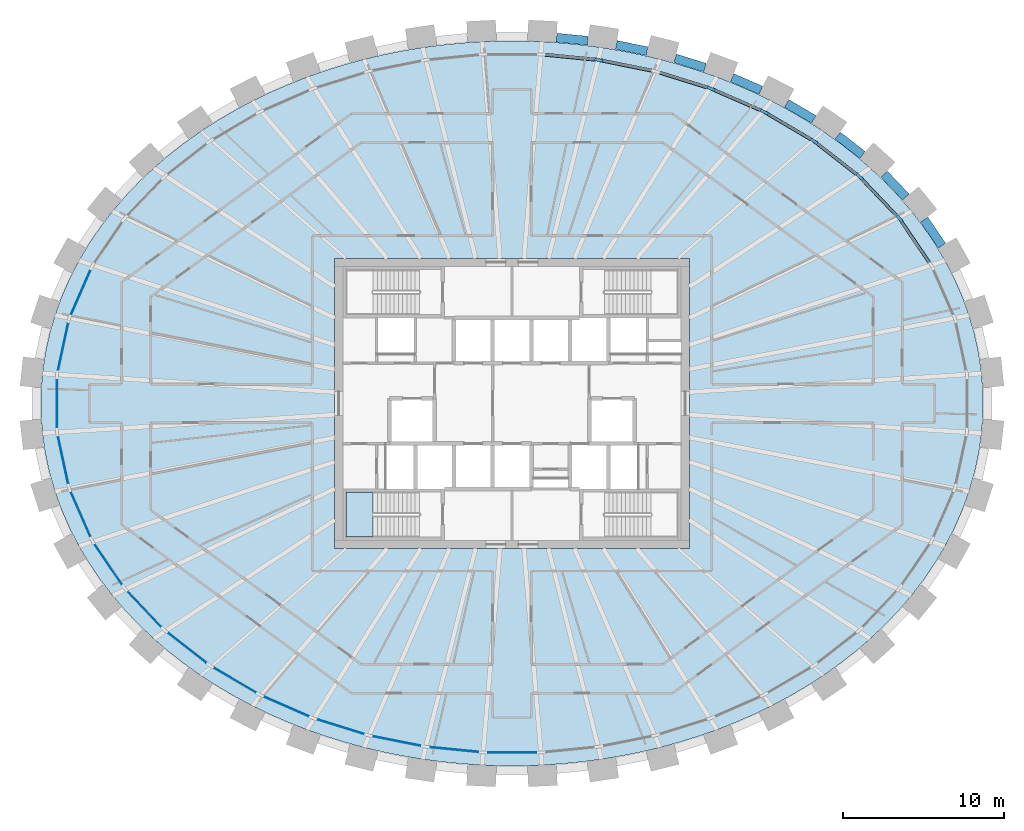
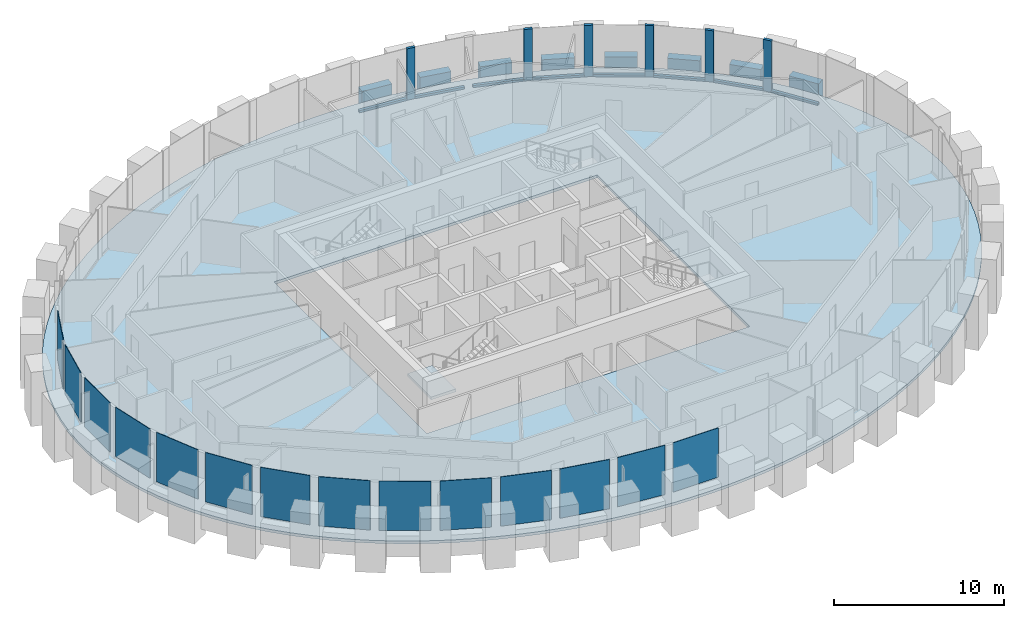
# One storey, part 4 of 12: 14 members, 14 plates, 8 beams, 2 slabs, 2 elements without a shape of their own.
"""IFC4 building model written with IfcOpenShell, lengths in metres."""

from ifc_helpers import new_model, si_unit, direction, frame, origin, origin_2d, place, context, subcontext, project, spatial, polyline, rectangle, outline, extrude, source, transform, mapped, material, layer, layer_set, material_profile, profile_set, type_object, element, aggregate, save


model = new_model("IFC4")

# Units and contexts
model_context = context("Model", 3, precision=1e-05, world=origin(), true_north=direction((0.0, 1.0)))
body_context = subcontext(model_context, "Body", "Model", "MODEL_VIEW")
ifc_project = project(units=[si_unit("LENGTHUNIT", "METRE"), si_unit("AREAUNIT", "SQUARE_METRE"), si_unit("VOLUMEUNIT", "CUBIC_METRE"), si_unit("PLANEANGLEUNIT", "RADIAN"), si_unit("MASSUNIT", "GRAM", prefix="KILO")], contexts=[model_context])

# Site, building, storey
site_placement = place(None, origin())
site = spatial("IfcSite", under=ifc_project, at=site_placement, CompositionType="ELEMENT")
building_placement = place(site_placement, origin())
building = spatial("IfcBuilding", under=site, at=building_placement, Name="Embergate Tower", CompositionType="ELEMENT")
storey_placement = place(building_placement, frame((0.0, 0.0, 320.800048828125)))
storey = spatial("IfcBuildingStorey", under=building, at=storey_placement, Name="L75", CompositionType="ELEMENT", Elevation=320.800048828125)

# Beams
ifc_material_1 = material(Name="Concrete C50", Category="concrete")
ifc_material_profile_1 = material_profile(ifc_material_1, rectangle(XDim=0.550048828125, YDim=1.5, at=origin_2d()), Name="RC 550x1500")
ifc_profile_set_1 = profile_set([ifc_material_profile_1], Name="Concrete C50")
beam_type = type_object("IfcBeamType", Name="Spandrel beam RC 550x1500 C50", PredefinedType="BEAM", material=ifc_profile_set_1)
shared_shape_1 = source(origin(), body_context, "Body", "SweptSolid", [
    extrude(rectangle(XDim=0.550048828125, YDim=1.5, at=origin_2d()), origin(), (0.0, 0.0, 1.0), 1.960205078125),
])
beam_1_placement = place(storey_placement, frame((26.676025390625, 9.782958984375, 0.0), z_axis=(-0.562207817231, 0.826995991674, 0.0), x_axis=(-0.826995991674, -0.562207817231, 0.0)))
element("IfcBeam", 1, at=beam_1_placement, inside=storey, type_object=beam_type, Name="SPN-L75-02", PredefinedType="BEAM", context=body_context, shape_type="MappedRepresentation", body=[
    mapped(shared_shape_1, transform((0.0, 0.0, 0.0))),
])
shared_shape_2 = source(origin(), body_context, "Body", "SweptSolid", [
    extrude(rectangle(XDim=0.550048828125, YDim=1.5, at=origin_2d()), origin(), (0.0, 0.0, 1.0), 1.955078125),
])
beam_2_placement = place(storey_placement, frame((24.443115234375, 12.803955078125, 0.0), z_axis=(-0.690558902138, 0.723276159346, 0.0), x_axis=(-0.723276159346, -0.690558902138, 0.0)))
element("IfcBeam", 2, at=beam_2_placement, inside=storey, type_object=beam_type, Name="SPN-L75-03", PredefinedType="BEAM", context=body_context, shape_type="MappedRepresentation", body=[
    mapped(shared_shape_2, transform((0.0, 0.0, 0.0))),
])
shared_shape_3 = source(origin(), body_context, "Body", "SweptSolid", [
    extrude(rectangle(XDim=0.550048828125, YDim=1.5, at=origin_2d()), origin(), (0.0, 0.0, 1.0), 1.94873046875),
])
beam_3_placement = place(storey_placement, frame((21.74609375, 15.412109375, 0.0), z_axis=(-0.78830540841, 0.615284148236, 0.0), x_axis=(-0.615284148236, -0.78830540841, 0.0)))
element("IfcBeam", 3, at=beam_3_placement, inside=storey, type_object=beam_type, Name="SPN-L75-04", PredefinedType="BEAM", context=body_context, shape_type="MappedRepresentation", body=[
    mapped(shared_shape_3, transform((0.0, 0.0, 0.0))),
])
shared_shape_4 = source(origin(), body_context, "Body", "SweptSolid", [
    extrude(rectangle(XDim=0.550048828125, YDim=1.5, at=origin_2d()), origin(), (0.0, 0.0, 1.0), 1.944580078125),
])
beam_4_placement = place(storey_placement, frame((18.720947265625, 17.623046875, 0.0), z_axis=(-0.861947125599, 0.506998178174, 0.0), x_axis=(-0.506998178174, -0.861947125599, 0.0)))
element("IfcBeam", 4, at=beam_4_placement, inside=storey, type_object=beam_type, Name="SPN-L75-05", PredefinedType="BEAM", context=body_context, shape_type="MappedRepresentation", body=[
    mapped(shared_shape_4, transform((0.0, 0.0, 0.0))),
])
shared_shape_5 = source(origin(), body_context, "Body", "SweptSolid", [
    extrude(rectangle(XDim=0.550048828125, YDim=1.5, at=origin_2d()), origin(), (0.0, 0.0, 1.0), 1.943603515625),
])
beam_5_placement = place(storey_placement, frame((15.44189453125, 19.427001953125, 0.0), z_axis=(-0.916367666651, 0.400337731818, 0.0), x_axis=(-0.400337731818, -0.916367666651, 0.0)))
element("IfcBeam", 5, at=beam_5_placement, inside=storey, type_object=beam_type, Name="SPN-L75-06", PredefinedType="BEAM", context=body_context, shape_type="MappedRepresentation", body=[
    mapped(shared_shape_5, transform((0.0, 0.0, 0.0))),
])
shared_shape_6 = source(origin(), body_context, "Body", "SweptSolid", [
    extrude(rectangle(XDim=0.550048828125, YDim=1.5, at=origin_2d()), origin(), (0.0, 0.0, 1.0), 1.940673828125),
])
beam_6_placement = place(storey_placement, frame((11.97509765625, 20.833984375, 0.0), z_axis=(-0.954797285525, 0.297257705625, 0.0), x_axis=(-0.297257705625, -0.954797285525, 0.0)))
element("IfcBeam", 6, at=beam_6_placement, inside=storey, type_object=beam_type, Name="SPN-L75-07", PredefinedType="BEAM", context=body_context, shape_type="MappedRepresentation", body=[
    mapped(shared_shape_6, transform((0.0, 0.0, 0.0))),
])
shared_shape_7 = source(origin(), body_context, "Body", "SweptSolid", [
    extrude(rectangle(XDim=0.550048828125, YDim=1.5, at=origin_2d()), origin(), (0.0, 0.0, 1.0), 1.93994140625),
])
beam_7_placement = place(storey_placement, frame((8.3779296875, 21.85595703125, 0.0), z_axis=(-0.980410889527, 0.1969631633, 0.0), x_axis=(-0.1969631633, -0.980410889527, 0.0)))
element("IfcBeam", 7, at=beam_7_placement, inside=storey, type_object=beam_type, Name="SPN-L75-08", PredefinedType="BEAM", context=body_context, shape_type="MappedRepresentation", body=[
    mapped(shared_shape_7, transform((0.0, 0.0, 0.0))),
])
shared_shape_8 = source(origin(), body_context, "Body", "SweptSolid", [
    extrude(rectangle(XDim=0.550048828125, YDim=1.5, at=origin_2d()), origin(), (0.0, 0.0, 1.0), 1.938232421875),
])
beam_8_placement = place(storey_placement, frame((4.696044921875, 22.5029296875, 0.0), z_axis=(-0.995174653714, 0.098119358973, 0.0), x_axis=(-0.098119358973, -0.995174653714, 0.0)))
element("IfcBeam", 8, at=beam_8_placement, inside=storey, type_object=beam_type, Name="SPN-L75-09", PredefinedType="BEAM", context=body_context, shape_type="MappedRepresentation", body=[
    mapped(shared_shape_8, transform((0.0, 0.0, 0.0))),
])

# Curtain wall, members
ifc_material_2 = material(Name="Aluminium and glass", Category="aluminium")
curtain_wall_type = type_object("IfcCurtainWallType", Name="Recessed office glazing", PredefinedType="NOTDEFINED", material=ifc_material_2)
curtain_wall_placement = place(storey_placement, origin())
curtain_wall = element("IfcCurtainWall", 9, at=curtain_wall_placement, inside=storey, type_object=curtain_wall_type, Name="Recessed office glazing ring", ObjectType="RECESSED OFFICE GLAZING", PredefinedType="USERDEFINED")
ifc_material_3 = material(Name="Aluminium, thermally broken", Category="aluminium")
ifc_material_profile_2 = material_profile(ifc_material_3, rectangle(XDim=0.179931640625, YDim=0.52001953125, at=origin_2d()), Name="AL 520x180")
ifc_profile_set_2 = profile_set([ifc_material_profile_2], Name="Aluminium, thermally broken")
member_type_1 = type_object("IfcMemberType", Name="Office mullion", PredefinedType="MULLION", material=ifc_profile_set_2)
shared_shape_9 = source(origin(), body_context, "Body", "SweptSolid", [
    extrude(rectangle(XDim=0.179931640625, YDim=0.52001953125, at=origin_2d()), origin(), (0.0, 0.0, 1.0), 3.699951171875),
])
member_1_placement = place(storey_placement, frame((24.04248046875, 11.4658203125, 0.0), z_axis=(0.0, 0.0, 1.0), x_axis=(-0.777861596203, -0.628435626897, 0.0)))
member_1 = element("IfcMember", 10, at=member_1_placement, type_object=member_type_1, Name="CW mullion 4", PredefinedType="MULLION", context=body_context, shape_type="MappedRepresentation", body=[
    mapped(shared_shape_9, transform((0.0, 0.0, 0.0))),
])
member_2_placement = place(storey_placement, frame((21.57275390625, 14.0556640625, 0.0), z_axis=(0.0, 0.0, 1.0), x_axis=(-0.671217477801, -0.741260478843, 0.0)))
member_2 = element("IfcMember", 11, at=member_2_placement, type_object=member_type_1, Name="CW mullion 5", PredefinedType="MULLION", context=body_context, shape_type="MappedRepresentation", body=[
    mapped(shared_shape_9, transform((0.0, 0.0, 0.0))),
])
member_3_placement = place(storey_placement, frame((18.745849609375, 16.261962890625, 0.0), z_axis=(0.0, 0.0, 1.0), x_axis=(-0.562210401679, -0.82699423471, 0.0)))
member_3 = element("IfcMember", 12, at=member_3_placement, type_object=member_type_1, Name="CW mullion 6", PredefinedType="MULLION", context=body_context, shape_type="MappedRepresentation", body=[
    mapped(shared_shape_9, transform((0.0, 0.0, 0.0))),
])
member_4_placement = place(storey_placement, frame((15.649658203125, 18.08251953125, 0.0), z_axis=(0.0, 0.0, 1.0), x_axis=(-0.454508271251, -0.890742516872, 0.0)))
member_4 = element("IfcMember", 13, at=member_4_placement, type_object=member_type_1, Name="CW mullion 7", PredefinedType="MULLION", context=body_context, shape_type="MappedRepresentation", body=[
    mapped(shared_shape_9, transform((0.0, 0.0, 0.0))),
])
member_5_placement = place(storey_placement, frame((12.354736328125, 19.523193359375, 0.0), z_axis=(0.0, 0.0, 1.0), x_axis=(-0.349501047589, -0.936935973124, 0.0)))
member_5 = element("IfcMember", 14, at=member_5_placement, type_object=member_type_1, Name="CW mullion 8", PredefinedType="MULLION", context=body_context, shape_type="MappedRepresentation", body=[
    mapped(shared_shape_9, transform((0.0, 0.0, 0.0))),
])
member_6_placement = place(storey_placement, frame((5.386962890625, 21.301513671875, 0.0), z_axis=(0.0, 0.0, 1.0), x_axis=(-0.147412382818, -0.989075118174, 0.0)))
member_6 = element("IfcMember", 15, at=member_6_placement, type_object=member_type_1, Name="CW mullion 10", PredefinedType="MULLION", context=body_context, shape_type="MappedRepresentation", body=[
    mapped(shared_shape_9, transform((0.0, 0.0, 0.0))),
])
ifc_material_profile_3 = material_profile(ifc_material_3, rectangle(XDim=0.179931640625, YDim=0.14990234375, at=origin_2d()), Name="AL 150x180")
ifc_profile_set_3 = profile_set([ifc_material_profile_3], Name="Aluminium, thermally broken")
member_type_2 = type_object("IfcMemberType", Name="Office sill transom", PredefinedType="USERDEFINED", material=ifc_profile_set_3)
shared_shape_10 = source(origin(), body_context, "Body", "SweptSolid", [
    extrude(rectangle(XDim=0.179931640625, YDim=0.14990234375, at=origin_2d()), origin(), (0.0, 0.0, 1.0), 3.050537109375),
])
member_7_placement = place(storey_placement, frame((25.904052734375, 8.728515625, 0.074951171875), z_axis=(-0.562323156119, 0.826917570313, 0.0), x_axis=(-0.826917570313, -0.562323156119, 0.0)))
member_7 = element("IfcMember", 16, at=member_7_placement, type_object=member_type_2, Name="CW transom 3.1", ObjectType="TRANSOM", PredefinedType="USERDEFINED", context=body_context, shape_type="MappedRepresentation", body=[
    mapped(shared_shape_10, transform((0.0, 0.0, 0.0))),
])
shared_shape_11 = source(origin(), body_context, "Body", "SweptSolid", [
    extrude(rectangle(XDim=0.179931640625, YDim=0.14990234375, at=origin_2d()), origin(), (0.0, 0.0, 1.0), 3.05859375),
])
member_8_placement = place(storey_placement, frame((23.863037109375, 11.654052734375, 0.074951171875), z_axis=(-0.690145338974, 0.723670789167, 0.0), x_axis=(-0.723670789167, -0.690145338974, 0.0)))
member_8 = element("IfcMember", 17, at=member_8_placement, type_object=member_type_2, Name="CW transom 4.1", ObjectType="TRANSOM", PredefinedType="USERDEFINED", context=body_context, shape_type="MappedRepresentation", body=[
    mapped(shared_shape_11, transform((0.0, 0.0, 0.0))),
])
shared_shape_12 = source(origin(), body_context, "Body", "SweptSolid", [
    extrude(rectangle(XDim=0.179931640625, YDim=0.14990234375, at=origin_2d()), origin(), (0.0, 0.0, 1.0), 3.06591796875),
])
member_9_placement = place(storey_placement, frame((21.367919921875, 14.2158203125, 0.074951171875), z_axis=(-0.788347811485, 0.615229817326, 0.0), x_axis=(-0.615229817326, -0.788347811485, 0.0)))
member_9 = element("IfcMember", 18, at=member_9_placement, type_object=member_type_2, Name="CW transom 5.1", ObjectType="TRANSOM", PredefinedType="USERDEFINED", context=body_context, shape_type="MappedRepresentation", body=[
    mapped(shared_shape_12, transform((0.0, 0.0, 0.0))),
])
shared_shape_13 = source(origin(), body_context, "Body", "SweptSolid", [
    extrude(rectangle(XDim=0.179931640625, YDim=0.14990234375, at=origin_2d()), origin(), (0.0, 0.0, 1.0), 3.07177734375),
])
member_10_placement = place(storey_placement, frame((18.521728515625, 16.393798828125, 0.074951171875), z_axis=(-0.862038399322, 0.506842971831, 0.0), x_axis=(-0.506842971831, -0.862038399322, 0.0)))
member_10 = element("IfcMember", 19, at=member_10_placement, type_object=member_type_2, Name="CW transom 6.1", ObjectType="TRANSOM", PredefinedType="USERDEFINED", context=body_context, shape_type="MappedRepresentation", body=[
    mapped(shared_shape_13, transform((0.0, 0.0, 0.0))),
])
shared_shape_14 = source(origin(), body_context, "Body", "SweptSolid", [
    extrude(rectangle(XDim=0.179931640625, YDim=0.14990234375, at=origin_2d()), origin(), (0.0, 0.0, 1.0), 3.076171875),
])
member_11_placement = place(storey_placement, frame((15.41162109375, 18.1865234375, 0.074951171875), z_axis=(-0.916242921691, 0.400623150169, 0.0), x_axis=(-0.400623150169, -0.916242921691, 0.0)))
member_11 = element("IfcMember", 20, at=member_11_placement, type_object=member_type_2, Name="CW transom 7.1", ObjectType="TRANSOM", PredefinedType="USERDEFINED", context=body_context, shape_type="MappedRepresentation", body=[
    mapped(shared_shape_14, transform((0.0, 0.0, 0.0))),
])
shared_shape_15 = source(origin(), body_context, "Body", "SweptSolid", [
    extrude(rectangle(XDim=0.179931640625, YDim=0.14990234375, at=origin_2d()), origin(), (0.0, 0.0, 1.0), 3.079345703125),
])
member_12_placement = place(storey_placement, frame((12.1064453125, 19.600341796875, 0.074951171875), z_axis=(-0.954753265605, 0.297399061558, 0.0), x_axis=(-0.297399061558, -0.954753265605, 0.0)))
member_12 = element("IfcMember", 21, at=member_12_placement, type_object=member_type_2, Name="CW transom 8.1", ObjectType="TRANSOM", PredefinedType="USERDEFINED", context=body_context, shape_type="MappedRepresentation", body=[
    mapped(shared_shape_15, transform((0.0, 0.0, 0.0))),
])
shared_shape_16 = source(origin(), body_context, "Body", "SweptSolid", [
    extrude(rectangle(XDim=0.179931640625, YDim=0.14990234375, at=origin_2d()), origin(), (0.0, 0.0, 1.0), 3.081298828125),
])
member_13_placement = place(storey_placement, frame((8.663330078125, 20.64453125, 0.074951171875), z_axis=(-0.980473874626, 0.19664938641, 0.0), x_axis=(-0.19664938641, -0.980473874626, 0.0)))
member_13 = element("IfcMember", 22, at=member_13_placement, type_object=member_type_2, Name="CW transom 9.1", ObjectType="TRANSOM", PredefinedType="USERDEFINED", context=body_context, shape_type="MappedRepresentation", body=[
    mapped(shared_shape_16, transform((0.0, 0.0, 0.0))),
])
shared_shape_17 = source(origin(), body_context, "Body", "SweptSolid", [
    extrude(rectangle(XDim=0.179931640625, YDim=0.14990234375, at=origin_2d()), origin(), (0.0, 0.0, 1.0), 3.0830078125),
])
member_14_placement = place(storey_placement, frame((5.12841796875, 21.326904296875, 0.074951171875), z_axis=(-0.995198169666, 0.09788055524, 0.0), x_axis=(-0.09788055524, -0.995198169666, 0.0)))
member_14 = element("IfcMember", 23, at=member_14_placement, type_object=member_type_2, Name="CW transom 10.1", ObjectType="TRANSOM", PredefinedType="USERDEFINED", context=body_context, shape_type="MappedRepresentation", body=[
    mapped(shared_shape_17, transform((0.0, 0.0, 0.0))),
])

# Slab
ifc_material_4 = material(Name="Concrete C40", Category="concrete")
ifc_layer_1 = layer(ifc_material_4, 0.199951171875)
ifc_layer_set_1 = layer_set([ifc_layer_1], Name="Concrete C40")
slab_type_1 = type_object("IfcSlabType", Name="Composite floor slab C40 200", PredefinedType="FLOOR", material=ifc_layer_set_1)
shared_shape_18 = source(origin(), body_context, "Body", "SweptSolid", [
    extrude(outline(polyline([(0.0, 0.0), (1.23583984375, 0.0), (2.471923828125, 0.0400390625), (3.7080078125, 0.12109375), (4.93896484375, 0.2421875), (6.161865234375, 0.403076171875), (7.386962890625, 0.606201171875), (8.598876953125, 0.84912109375), (9.796875, 1.132080078125), (10.996826171875, 1.460205078125), (12.177978515625, 1.828125), (13.3369140625, 2.234130859375), (14.496826171875, 2.691162109375), (15.6298828125, 3.18603515625), (16.73291015625, 3.719970703125), (17.8349609375, 4.30810546875), (18.90087890625, 4.93505859375), (19.928955078125, 5.59814453125), (20.948974609375, 6.322998046875), (21.923828125, 7.0830078125), (22.849853515625, 7.879150390625), (23.760009765625, 8.739990234375), (24.613037109375, 9.635009765625), (25.406982421875, 10.56005859375), (26.169921875, 11.55419921875), (26.864990234375, 12.576171875), (27.489990234375, 13.6240234375), (28.06396484375, 14.733154296875), (28.559814453125, 15.864990234375), (28.97802734375, 17.01513671875), (29.322998046875, 18.210205078125), (29.5830078125, 19.41796875), (29.7568359375, 20.635009765625), (29.844970703125, 21.8681640625), (29.844970703125, 23.10400390625), (29.7568359375, 24.337158203125), (29.5830078125, 25.55419921875), (29.322998046875, 26.761962890625), (28.97802734375, 27.95703125), (28.559814453125, 29.107177734375), (28.06396484375, 30.239013671875), (27.489990234375, 31.34814453125), (26.864990234375, 32.39599609375), (26.169921875, 33.41796875), (25.406982421875, 34.412109375), (24.613037109375, 35.337158203125), (23.760009765625, 36.232177734375), (22.849853515625, 37.093017578125), (21.923828125, 37.88916015625), (20.948974609375, 38.649169921875), (19.928955078125, 39.3740234375), (18.90087890625, 40.037109375), (17.8349609375, 40.6640625), (16.73291015625, 41.252197265625), (15.6298828125, 41.7861328125), (14.496826171875, 42.281005859375), (13.3369140625, 42.738037109375), (12.177978515625, 43.14404296875), (10.996826171875, 43.511962890625), (9.796875, 43.840087890625), (8.598876953125, 44.123046875), (7.386962890625, 44.365966796875), (6.161865234375, 44.569091796875), (4.93896484375, 44.72998046875), (3.7080078125, 44.85107421875), (2.471923828125, 44.93212890625), (1.23583984375, 44.97216796875), (0.0, 44.97216796875), (-1.236083984375, 44.93212890625), (-2.47216796875, 44.85107421875), (-3.703125, 44.72998046875), (-4.926025390625, 44.569091796875), (-6.151123046875, 44.365966796875), (-7.363037109375, 44.123046875), (-8.56103515625, 43.840087890625), (-9.760986328125, 43.511962890625), (-10.942138671875, 43.14404296875), (-12.10107421875, 42.738037109375), (-13.260986328125, 42.281005859375), (-14.39404296875, 41.7861328125), (-15.4970703125, 41.252197265625), (-16.59912109375, 40.6640625), (-17.6650390625, 40.037109375), (-18.693115234375, 39.3740234375), (-19.713134765625, 38.649169921875), (-20.68798828125, 37.88916015625), (-21.614013671875, 37.093017578125), (-22.524169921875, 36.232177734375), (-23.377197265625, 35.337158203125), (-24.171142578125, 34.412109375), (-24.93408203125, 33.41796875), (-25.629150390625, 32.39599609375), (-26.254150390625, 31.34814453125), (-26.828125, 30.239013671875), (-27.323974609375, 29.107177734375), (-27.7421875, 27.95703125), (-28.087158203125, 26.761962890625), (-28.34716796875, 25.55419921875), (-28.52099609375, 24.337158203125), (-28.609130859375, 23.10400390625), (-28.609130859375, 21.8681640625), (-28.52099609375, 20.635009765625), (-28.34716796875, 19.41796875), (-28.087158203125, 18.210205078125), (-27.7421875, 17.01513671875), (-27.323974609375, 15.864990234375), (-26.828125, 14.733154296875), (-26.254150390625, 13.6240234375), (-25.629150390625, 12.576171875), (-24.93408203125, 11.55419921875), (-24.171142578125, 10.56005859375), (-23.377197265625, 9.635009765625), (-22.524169921875, 8.739990234375), (-21.614013671875, 7.879150390625), (-20.68798828125, 7.0830078125), (-19.713134765625, 6.322998046875), (-18.693115234375, 5.59814453125), (-17.6650390625, 4.93505859375), (-16.59912109375, 4.30810546875), (-15.4970703125, 3.719970703125), (-14.39404296875, 3.18603515625), (-13.260986328125, 2.691162109375), (-12.10107421875, 2.234130859375), (-10.942138671875, 1.828125), (-9.760986328125, 1.460205078125), (-8.56103515625, 1.132080078125), (-7.363037109375, 0.84912109375), (-6.151123046875, 0.606201171875), (-4.926025390625, 0.403076171875), (-3.703125, 0.2421875), (-2.47216796875, 0.12109375), (-1.236083984375, 0.0400390625), (0.0, 0.0)]), holes=[polyline([(-10.382080078125, 13.486083984375), (-10.382080078125, 31.486083984375), (11.617919921875, 31.486083984375), (11.617919921875, 13.486083984375), (-10.382080078125, 13.486083984375)])]), origin(), (0.0, 0.0, 1.0), 0.199951171875),
])
slab_1_placement = place(storey_placement, frame((-0.617919921875, -22.486083984375, -0.199951171875)))
element("IfcSlab", 24, at=slab_1_placement, inside=storey, type_object=slab_type_1, Name="SLB-L75-00", PredefinedType="FLOOR", context=body_context, shape_type="MappedRepresentation", body=[
    mapped(shared_shape_18, transform((0.0, 0.0, 0.0))),
])

# Plate
ifc_material_5 = material(Name="Triple glazing, low-emissivity coating", Category="glass")
ifc_layer_2 = layer(ifc_material_5, 0.035888671875)
ifc_layer_set_2 = layer_set([ifc_layer_2], Name="Triple glazing, low-emissivity coating")
plate_type = type_object("IfcPlateType", Name="Office glazing unit", PredefinedType="CURTAIN_PANEL", material=ifc_layer_set_2)
shared_shape_19 = source(origin(), body_context, "Body", "SweptSolid", [
    extrude(rectangle(XDim=3.03515625, YDim=0.035888671875, at=origin_2d()), origin(), (0.0, 0.0, 1.0), 3.550048828125),
])
plate_1_placement = place(storey_placement, frame((-27.854736328125, 3.513916015625, 0.14990234375), z_axis=(0.0, 0.0, 1.0), x_axis=(-0.210400097438, -0.977615363524, 0.0)))
plate_1 = element("IfcPlate", 25, at=plate_1_placement, type_object=plate_type, Name="CW panel 21.1", PredefinedType="CURTAIN_PANEL", context=body_context, shape_type="MappedRepresentation", body=[
    mapped(shared_shape_19, transform((0.0, 0.0, 0.0))),
])

plate_2_placement = place(storey_placement, frame((-27.854736328125, -3.513916015625, 0.14990234375), z_axis=(0.0, 0.0, 1.0), x_axis=(0.210400097438, -0.977615363524, 0.0)))
plate_2 = element("IfcPlate", 26, at=plate_2_placement, type_object=plate_type, Name="CW panel 23.1", PredefinedType="CURTAIN_PANEL", context=body_context, shape_type="MappedRepresentation", body=[
    mapped(shared_shape_19, transform((0.0, 0.0, 0.0))),
])

shared_shape_20 = source(origin(), body_context, "Body", "SweptSolid", [
    extrude(rectangle(XDim=3.041748046875, YDim=0.035888671875, at=origin_2d()), origin(), (0.0, 0.0, 1.0), 3.550048828125),
])
plate_3_placement = place(storey_placement, frame((-26.765380859375, 6.8828125, 0.14990234375), z_axis=(0.0, 0.0, 1.0), x_axis=(-0.401653699516, -0.915791627864, 0.0)))
plate_3 = element("IfcPlate", 27, at=plate_3_placement, type_object=plate_type, Name="CW panel 20.1", PredefinedType="CURTAIN_PANEL", context=body_context, shape_type="MappedRepresentation", body=[
    mapped(shared_shape_20, transform((0.0, 0.0, 0.0))),
])

plate_4_placement = place(storey_placement, frame((-26.765380859375, -6.8828125, 0.14990234375), z_axis=(0.0, 0.0, 1.0), x_axis=(0.401653699516, -0.915791627864, 0.0)))
plate_4 = element("IfcPlate", 28, at=plate_4_placement, type_object=plate_type, Name="CW panel 24.1", PredefinedType="CURTAIN_PANEL", context=body_context, shape_type="MappedRepresentation", body=[
    mapped(shared_shape_20, transform((0.0, 0.0, 0.0))),
])

shared_shape_21 = source(origin(), body_context, "Body", "SweptSolid", [
    extrude(rectangle(XDim=3.05029296875, YDim=0.035888671875, at=origin_2d()), origin(), (0.0, 0.0, 1.0), 3.550048828125),
])
plate_5_placement = place(storey_placement, frame((-25.04638671875, -9.98974609375, 0.14990234375), z_axis=(0.0, 0.0, 1.0), x_axis=(0.562341741915, -0.826904931234, 0.0)))
plate_5 = element("IfcPlate", 29, at=plate_5_placement, type_object=plate_type, Name="CW panel 25.1", PredefinedType="CURTAIN_PANEL", context=body_context, shape_type="MappedRepresentation", body=[
    mapped(shared_shape_21, transform((0.0, 0.0, 0.0))),
])

shared_shape_22 = source(origin(), body_context, "Body", "SweptSolid", [
    extrude(rectangle(XDim=3.05859375, YDim=0.035888671875, at=origin_2d()), origin(), (0.0, 0.0, 1.0), 3.550048828125),
])
plate_6_placement = place(storey_placement, frame((-22.8076171875, -12.7607421875, 0.14990234375), z_axis=(0.0, 0.0, 1.0), x_axis=(0.6901325214, -0.723683012724, 0.0)))
plate_6 = element("IfcPlate", 30, at=plate_6_placement, type_object=plate_type, Name="CW panel 26.1", PredefinedType="CURTAIN_PANEL", context=body_context, shape_type="MappedRepresentation", body=[
    mapped(shared_shape_22, transform((0.0, 0.0, 0.0))),
])

shared_shape_23 = source(origin(), body_context, "Body", "SweptSolid", [
    extrude(rectangle(XDim=3.06591796875, YDim=0.035888671875, at=origin_2d()), origin(), (0.0, 0.0, 1.0), 3.550048828125),
])
plate_7_placement = place(storey_placement, frame((-20.1591796875, -15.15869140625, 0.14990234375), z_axis=(0.0, 0.0, 1.0), x_axis=(0.788317971569, -0.615268051911, 0.0)))
plate_7 = element("IfcPlate", 31, at=plate_7_placement, type_object=plate_type, Name="CW panel 27.1", PredefinedType="CURTAIN_PANEL", context=body_context, shape_type="MappedRepresentation", body=[
    mapped(shared_shape_23, transform((0.0, 0.0, 0.0))),
])

shared_shape_24 = source(origin(), body_context, "Body", "SweptSolid", [
    extrude(rectangle(XDim=3.07177734375, YDim=0.035888671875, at=origin_2d()), origin(), (0.0, 0.0, 1.0), 3.550048828125),
])
plate_8_placement = place(storey_placement, frame((-17.19775390625, -17.172119140625, 0.14990234375), z_axis=(0.0, 0.0, 1.0), x_axis=(0.862050514108, -0.506822366443, 0.0)))
plate_8 = element("IfcPlate", 32, at=plate_8_placement, type_object=plate_type, Name="CW panel 28.1", PredefinedType="CURTAIN_PANEL", context=body_context, shape_type="MappedRepresentation", body=[
    mapped(shared_shape_24, transform((0.0, 0.0, 0.0))),
])

shared_shape_25 = source(origin(), body_context, "Body", "SweptSolid", [
    extrude(rectangle(XDim=3.076171875, YDim=0.035888671875, at=origin_2d()), origin(), (0.0, 0.0, 1.0), 3.550048828125),
])
plate_9_placement = place(storey_placement, frame((-14.002197265625, -18.802734375, 0.14990234375), z_axis=(0.0, 0.0, 1.0), x_axis=(0.91623411399, -0.400643293168, 0.0)))
plate_9 = element("IfcPlate", 33, at=plate_9_placement, type_object=plate_type, Name="CW panel 29.1", PredefinedType="CURTAIN_PANEL", context=body_context, shape_type="MappedRepresentation", body=[
    mapped(shared_shape_25, transform((0.0, 0.0, 0.0))),
])

shared_shape_26 = source(origin(), body_context, "Body", "SweptSolid", [
    extrude(rectangle(XDim=3.079345703125, YDim=0.035888671875, at=origin_2d()), origin(), (0.0, 0.0, 1.0), 3.550048828125),
])
plate_10_placement = place(storey_placement, frame((-10.636474609375, -20.05810546875, 0.14990234375), z_axis=(0.0, 0.0, 1.0), x_axis=(0.954771179262, -0.297341546458, 0.0)))
plate_10 = element("IfcPlate", 34, at=plate_10_placement, type_object=plate_type, Name="CW panel 30.1", PredefinedType="CURTAIN_PANEL", context=body_context, shape_type="MappedRepresentation", body=[
    mapped(shared_shape_26, transform((0.0, 0.0, 0.0))),
])

shared_shape_27 = source(origin(), body_context, "Body", "SweptSolid", [
    extrude(rectangle(XDim=3.08154296875, YDim=0.035888671875, at=origin_2d()), origin(), (0.0, 0.0, 1.0), 3.550048828125),
])
plate_11_placement = place(storey_placement, frame((-7.152587890625, -20.947509765625, 0.14990234375), z_axis=(0.0, 0.0, 1.0), x_axis=(0.980475221003, -0.196642673395, 0.0)))
plate_11 = element("IfcPlate", 35, at=plate_11_placement, type_object=plate_type, Name="CW panel 31.1", PredefinedType="CURTAIN_PANEL", context=body_context, shape_type="MappedRepresentation", body=[
    mapped(shared_shape_27, transform((0.0, 0.0, 0.0))),
])

shared_shape_28 = source(origin(), body_context, "Body", "SweptSolid", [
    extrude(rectangle(XDim=3.082763671875, YDim=0.035888671875, at=origin_2d()), origin(), (0.0, 0.0, 1.0), 3.550048828125),
])
plate_12_placement = place(storey_placement, frame((-3.59423828125, -21.477783203125, 0.14990234375), z_axis=(0.0, 0.0, 1.0), x_axis=(0.995203014042, -0.097831287645, 0.0)))
plate_12 = element("IfcPlate", 36, at=plate_12_placement, type_object=plate_type, Name="CW panel 32.1", PredefinedType="CURTAIN_PANEL", context=body_context, shape_type="MappedRepresentation", body=[
    mapped(shared_shape_28, transform((0.0, 0.0, 0.0))),
])

shared_shape_29 = source(origin(), body_context, "Body", "SweptSolid", [
    extrude(rectangle(XDim=3.083251953125, YDim=0.035888671875, at=origin_2d()), origin(), (0.0, 0.0, 1.0), 3.550048828125),
])
plate_13_placement = place(storey_placement, frame((0.0, -21.654052734375, 0.14990234375), z_axis=(0.0, 0.0, 1.0), x_axis=(1.0, 0.0, 0.0)))
plate_13 = element("IfcPlate", 37, at=plate_13_placement, type_object=plate_type, Name="CW panel 33.1", PredefinedType="CURTAIN_PANEL", context=body_context, shape_type="MappedRepresentation", body=[
    mapped(shared_shape_29, transform((0.0, 0.0, 0.0))),
])

shared_shape_30 = source(origin(), body_context, "Body", "SweptSolid", [
    extrude(rectangle(XDim=3.032470703125, YDim=0.035888671875, at=origin_2d()), origin(), (0.0, 0.0, 1.0), 3.550048828125),
])
plate_14_placement = place(storey_placement, frame((-28.228759765625, 0.0, 0.14990234375), z_axis=(0.0, 0.0, 1.0), x_axis=(0.0, -1.0, 0.0)))
plate_14 = element("IfcPlate", 38, at=plate_14_placement, type_object=plate_type, Name="CW panel 22.1", PredefinedType="CURTAIN_PANEL", context=body_context, shape_type="MappedRepresentation", body=[
    mapped(shared_shape_30, transform((0.0, 0.0, 0.0))),
])

aggregate(curtain_wall, [member_1, member_2, member_3, member_4, member_5, member_6, member_7, member_8, member_9, member_10, member_11, member_12, member_13, member_14, plate_3, plate_1, plate_14, plate_2, plate_4, plate_5, plate_6, plate_7, plate_8, plate_9, plate_10, plate_11, plate_12, plate_13])

# Stair, slab
ifc_material_6 = material(Name="Exit stair")
stair_type = type_object("IfcStairType", Name="Exit stair", PredefinedType="HALF_TURN_STAIR", material=ifc_material_6)
stair_placement = place(storey_placement, origin())
stair = element("IfcStair", 39, at=stair_placement, inside=storey, type_object=stair_type, Name="L75 Exit stair 3", PredefinedType="HALF_TURN_STAIR")
ifc_layer_3 = layer(ifc_material_4, 0.199951171875)
ifc_layer_set_3 = layer_set([ifc_layer_3], Name="Concrete C40")
slab_type_2 = type_object("IfcSlabType", Name="Stair landing reinforced concrete", PredefinedType="LANDING", material=ifc_layer_set_3)
shared_shape_31 = source(origin(), body_context, "Body", "SweptSolid", [
    extrude(outline(polyline([(0.0, 0.0), (1.68994140625, 0.0), (1.68994140625, 2.800048828125), (0.0, 2.800048828125), (0.0, 0.0)])), origin(), (0.0, 0.0, 1.0), 0.199951171875),
])
slab_2_placement = place(storey_placement, frame((-10.300048828125, -8.300048828125, 1.75)))
slab_2 = element("IfcSlab", 40, at=slab_2_placement, type_object=slab_type_2, Name="ST3 landing 1", PredefinedType="LANDING", context=body_context, shape_type="MappedRepresentation", body=[
    mapped(shared_shape_31, transform((0.0, 0.0, 0.0))),
])
aggregate(stair, [slab_2])

save(model, "model.ifc")
